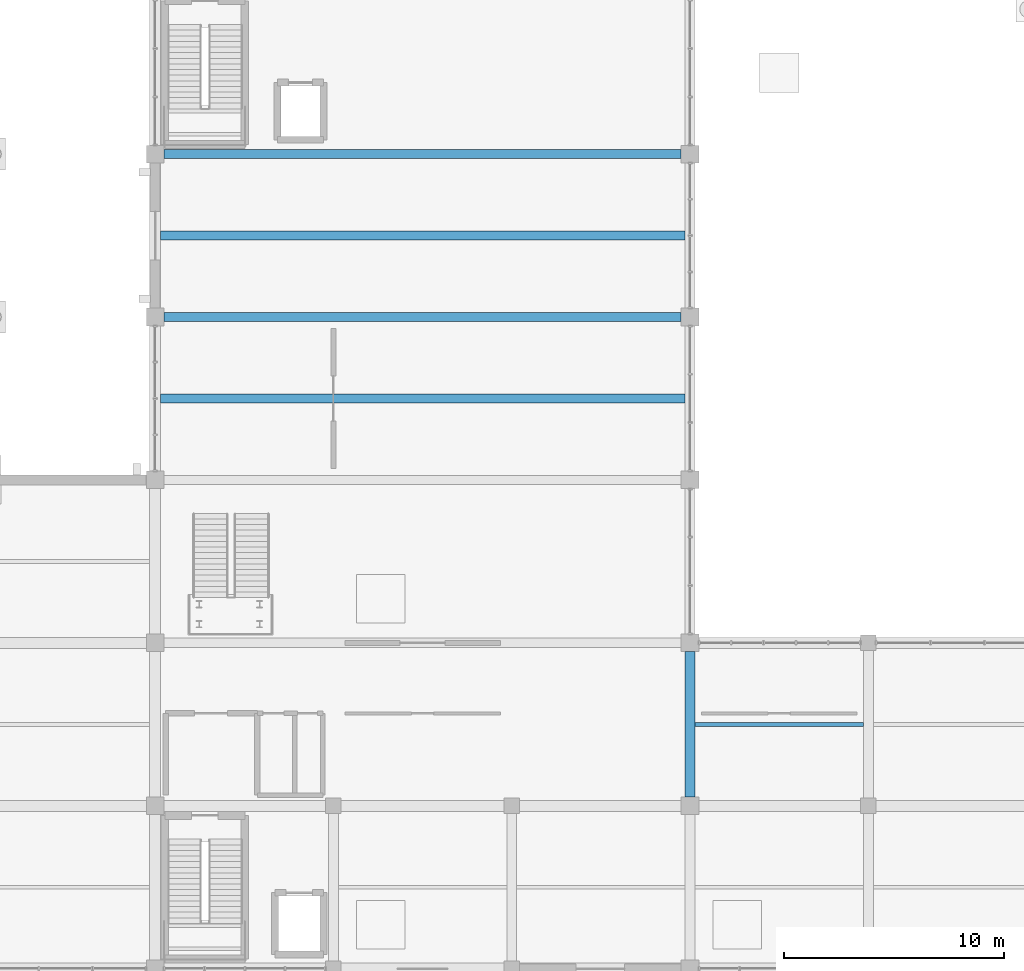
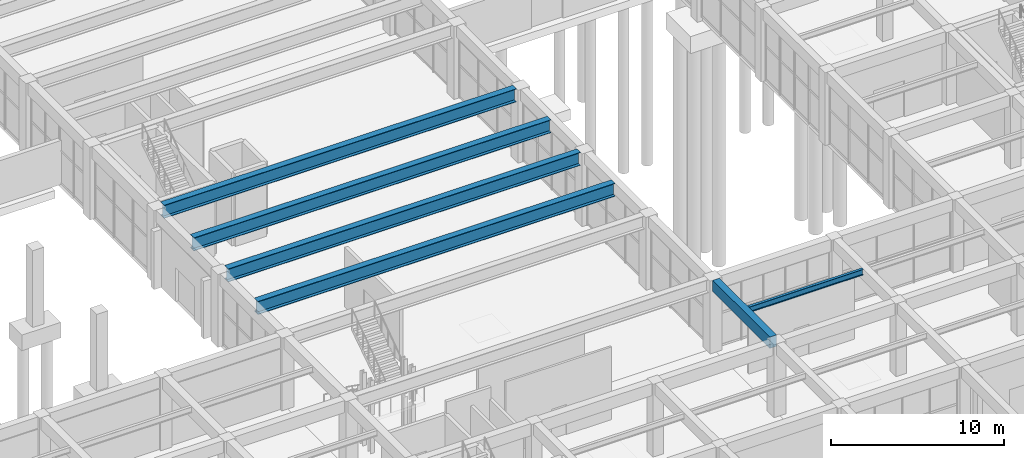
# One storey, part 41 of 140: 6 beams.
"""IFC4 building model written with IfcOpenShell, lengths in metres."""

import ifcopenshell
import ifcopenshell.guid

model = None  # the IFC model being written
_history = None  # IfcOwnerHistory: only IFC2X3 demands one
_inside = {}  # id of a spatial element -> (the spatial element, [elements in it])
_under = {}  # id of a project, library or spatial element -> (it, [spatial elements below it])
_declared = {}  # id of a project -> (the project, [libraries it declares])
_typed = {}  # id of a type object -> (the type object, [elements of that type])
_made_of = {}  # id of a material, layer set ... -> (it, [elements and type objects made of it])


def new_model(schema):
    """Start an empty IFC model of exactly this schema.

    Asked for "IFC4X3", IfcOpenShell would pick the latest addendum, in which some entities
    have other attributes; the version numbers below select the first issue.
    IFC2X3 requires an IfcOwnerHistory on every rooted entity: one is made here for all.
    """
    global model, _history
    if schema == "IFC4X3":
        model = ifcopenshell.file(schema_version=(4, 3, 0, 0))
    else:
        model = ifcopenshell.file(schema=schema)
    _inside.clear()
    _under.clear()
    _declared.clear()
    _typed.clear()
    _made_of.clear()
    _history = None
    if model.schema == "IFC2X3":
        org = make("IfcOrganization", Name="unknown")
        user = make(
            "IfcPersonAndOrganization",
            ThePerson=make("IfcPerson", FamilyName="unknown"),
            TheOrganization=org,
        )
        app = make(
            "IfcApplication",
            ApplicationDeveloper=org,
            Version="unknown",
            ApplicationFullName="unknown",
            ApplicationIdentifier="unknown",
        )
        _history = make(
            "IfcOwnerHistory",
            OwningUser=user,
            OwningApplication=app,
            ChangeAction="ADDED",
            CreationDate=0,
        )
    return model


def make(cls, **values):
    """One entity of the class cls with the attributes given. An attribute that is None is left unset."""
    return model.create_entity(
        cls, **{name: value for name, value in values.items() if value is not None}
    )


def rooted(cls, **values):
    """An entity with a GlobalId (a new one), such as an element, a storey or a relation."""
    return make(cls, GlobalId=ifcopenshell.guid.new(), OwnerHistory=_history, **values)


def si_unit(unit_type, name, prefix=None):
    """IfcSIUnit, for example si_unit("LENGTHUNIT", "METRE", prefix="MILLI")."""
    return make("IfcSIUnit", UnitType=unit_type, Prefix=prefix, Name=name)


def assignment(units):
    """IfcUnitAssignment: the units of a project."""
    return None if units is None else make("IfcUnitAssignment", Units=units)


def point(xyz):
    """IfcCartesianPoint."""
    return None if xyz is None else make("IfcCartesianPoint", Coordinates=xyz)


def direction(xyz):
    """IfcDirection."""
    return None if xyz is None else make("IfcDirection", DirectionRatios=xyz)


def frame(location, z_axis=None, x_axis=None):
    """IfcAxis2Placement3D, a coordinate frame: its origin and axes. An axis left out is left unset."""
    return make(
        "IfcAxis2Placement3D",
        Location=point(location),
        Axis=direction(z_axis),
        RefDirection=direction(x_axis),
    )


def frame_2d(location, x_axis=None):
    """IfcAxis2Placement2D, a coordinate frame in the plane: its origin and x axis."""
    return make(
        "IfcAxis2Placement2D", Location=point(location), RefDirection=direction(x_axis)
    )


def origin():
    """The frame at (0, 0, 0) with its axes left unset."""
    return frame((0.0, 0.0, 0.0))


def origin_2d():
    """The frame at (0, 0) in the plane with its x axis left unset."""
    return frame_2d((0.0, 0.0))


def place(relative_to, where):
    """IfcLocalPlacement: puts the frame where relative to a parent placement (None: the world)."""
    return make(
        "IfcLocalPlacement", PlacementRelTo=relative_to, RelativePlacement=where
    )


def context(
    kind, dimensions, precision=None, world=None, true_north=None, identifier=None
):
    """IfcGeometricRepresentationContext, for example the 3D "Model" context."""
    return make(
        "IfcGeometricRepresentationContext",
        ContextIdentifier=identifier,
        ContextType=kind,
        CoordinateSpaceDimension=dimensions,
        Precision=precision,
        WorldCoordinateSystem=world,
        TrueNorth=true_north,
    )


def subcontext(parent, identifier, kind, view, scale=None):
    """IfcGeometricRepresentationSubContext, for example "Body" below "Model"."""
    return make(
        "IfcGeometricRepresentationSubContext",
        ContextIdentifier=identifier,
        ContextType=kind,
        ParentContext=parent,
        TargetScale=scale,
        TargetView=view,
    )


def project(units=None, contexts=None):
    """IfcProject with its units and contexts."""
    return rooted(
        "IfcProject",
        Name="project",
        RepresentationContexts=contexts,
        UnitsInContext=assignment(units),
    )


def spatial(cls, under=None, at=None, **own):
    """A site, building, storey or space (cls), placed at a placement, below another one or the project."""
    s = rooted(cls, ObjectPlacement=at, **own)
    if under is not None:
        _under.setdefault(under.id(), (under, []))[1].append(s)
    return s


def profile(cls, at=None, kind="AREA", **sizes):
    """A parametric profile (cls). Its sizes go by their IFC names, for example OverallWidth=200.0."""
    return make(cls, ProfileType=kind, Position=at, **sizes)


def rectangle(**sizes):
    """IfcRectangleProfileDef."""
    return profile("IfcRectangleProfileDef", **sizes)


def i_section(**sizes):
    """IfcIShapeProfileDef."""
    return profile("IfcIShapeProfileDef", **sizes)


def extrude(swept, where, along, depth):
    """IfcExtrudedAreaSolid: the profile swept, set in the frame where, extruded along a direction by depth."""
    return make(
        "IfcExtrudedAreaSolid",
        SweptArea=swept,
        Position=where,
        ExtrudedDirection=direction(along),
        Depth=depth,
    )


def shape(context_of_items, identifier, shape_type, items):
    """IfcShapeRepresentation: the items that make up one representation, for example the "Body"."""
    return make(
        "IfcShapeRepresentation",
        ContextOfItems=context_of_items,
        RepresentationIdentifier=identifier,
        RepresentationType=shape_type,
        Items=items,
    )


def material(Name=None, Category=None):
    """IfcMaterial."""
    return make("IfcMaterial", Name=Name, Category=Category)


def material_profile(
    of_material, cross_section, Name=None, Category=None, Priority=None
):
    """IfcMaterialProfile: a cross section and its material."""
    return make(
        "IfcMaterialProfile",
        Name=Name,
        Material=of_material,
        Profile=cross_section,
        Priority=Priority,
        Category=Category,
    )


def profile_set(profiles, Name=None, composite=None):
    """IfcMaterialProfileSet."""
    return make(
        "IfcMaterialProfileSet",
        Name=Name,
        MaterialProfiles=profiles,
        CompositeProfile=composite,
    )


def made_of(thing, what):
    """Note that an element or type object is made of a material, layer set ...; save() writes the relation."""
    if what is not None:
        _made_of.setdefault(what.id(), (what, []))[1].append(thing)
    return thing


def type_object(cls, material=None, **own):
    """A type object (cls), such as IfcWallType, which elements share."""
    return made_of(rooted(cls, **own), material)


def element(
    cls,
    number,
    at=None,
    inside=None,
    cuts=None,
    type_object=None,
    material=None,
    context=None,
    identifier="Body",
    shape_type=None,
    held_by="IfcProductDefinitionShape",
    body=None,
    shapes=None,
    **own,
):
    """One element of the class cls, such as IfcWall. Its Tag is "e" and its number.

    at: its placement. inside: the storey or other place that contains it. cuts: it is an
    opening in that element (IfcRelVoidsElement). A single representation is given by context,
    identifier, shape_type and body (its items); several are given by shapes. held_by: the class
    of the entity that holds the representations. save() writes the other relations.
    """
    e = rooted(cls, Tag="e%d" % number, ObjectPlacement=at, **own)
    if body is not None:
        shapes = [shape(context, identifier, shape_type, body)]
    if shapes is not None:
        e.Representation = make(held_by, Representations=shapes)
    if inside is not None:
        _inside.setdefault(inside.id(), (inside, []))[1].append(e)
    if cuts is not None:
        rooted(
            "IfcRelVoidsElement", RelatingBuildingElement=cuts, RelatedOpeningElement=e
        )
    if type_object is not None:
        _typed.setdefault(type_object.id(), (type_object, []))[1].append(e)
    return made_of(e, material)


def aggregate(whole, parts):
    """IfcRelAggregates: a whole, such as a stair, and the parts it consists of."""
    return rooted("IfcRelAggregates", RelatingObject=whole, RelatedObjects=parts)


def save(model, path):
    """Write the relations noted so far, then the file.

    IfcRelAggregates (storeys below a building ...), IfcRelContainedInSpatialStructure (elements
    in a storey), IfcRelDefinesByType, IfcRelAssociatesMaterial and IfcRelDeclares: one each for
    every whole, place, type object, material and project.
    """
    for whole, parts in _under.values():
        aggregate(whole, parts)
    for where, things in _inside.values():
        rooted(
            "IfcRelContainedInSpatialStructure",
            RelatedElements=things,
            RelatingStructure=where,
        )
    for kind, things in _typed.values():
        rooted("IfcRelDefinesByType", RelatedObjects=things, RelatingType=kind)
    for what, things in _made_of.values():
        rooted("IfcRelAssociatesMaterial", RelatedObjects=things, RelatingMaterial=what)
    for by, libraries in _declared.values():
        rooted("IfcRelDeclares", RelatingContext=by, RelatedDefinitions=libraries)
    model.write(path)


model = new_model("IFC4")

# Units and contexts
model_context = context("Model", 3, precision=1e-05, world=origin(), true_north=direction((0.0, 1.0)))
body_context = subcontext(model_context, "Body", "Model", "MODEL_VIEW")
ifc_project = project(units=[si_unit("LENGTHUNIT", "METRE"), si_unit("AREAUNIT", "SQUARE_METRE"), si_unit("VOLUMEUNIT", "CUBIC_METRE"), si_unit("PLANEANGLEUNIT", "RADIAN"), si_unit("MASSUNIT", "GRAM", prefix="KILO")], contexts=[model_context])

# Site, building, storey
site_placement = place(None, origin())
site = spatial("IfcSite", under=ifc_project, at=site_placement, CompositionType="ELEMENT")
building_placement = place(site_placement, origin())
building = spatial("IfcBuilding", under=site, at=building_placement, Name="Cimatlan Art Gallery", CompositionType="ELEMENT")
storey_placement = place(building_placement, origin())
storey = spatial("IfcBuildingStorey", under=building, at=storey_placement, Name="L00", CompositionType="ELEMENT", Elevation=0.0)

# Beams
ifc_material_1 = material(Name="Concrete C40/50", Category="concrete")
ifc_material_profile_1 = material_profile(ifc_material_1, rectangle(XDim=0.449951171875, YDim=0.800048828125, at=origin_2d()), Name="RC450X800")
ifc_profile_set_1 = profile_set([ifc_material_profile_1], Name="Concrete C40/50")
beam_type_1 = type_object("IfcBeamType", Name="BM-RC-450X800", PredefinedType="BEAM", material=ifc_profile_set_1)
beam_1_placement = place(storey_placement, frame((99.199951171875, 31.699951171875, 4.735107421875), z_axis=(0.0, 1.0, 0.0), x_axis=(-1.0, 0.0, 0.0)))
element("IfcBeam", 1, at=beam_1_placement, inside=storey, type_object=beam_type_1, Name="BM-Y-L00-12-04", PredefinedType="BEAM", context=body_context, shape_type="SweptSolid", body=[
    extrude(rectangle(XDim=0.449951171875, YDim=0.800048828125, at=origin_2d()), origin(), (0.0, 0.0, 1.0), 6.60009765625),
])
ifc_material_2 = material(Name="Steel ASTM A992 Grade 50", Category="steel")
ifc_material_profile_2 = material_profile(ifc_material_2, i_section(OverallWidth=0.41796875, OverallDepth=0.927001953125, WebThickness=0.019287109375, FlangeThickness=0.031982421875, at=origin_2d()), Name="W36X231")
ifc_profile_set_2 = profile_set([ifc_material_profile_2], Name="Steel ASTM A992 Grade 50")
beam_type_2 = type_object("IfcBeamType", Name="BM-SPAN24-L01", PredefinedType="BEAM", material=ifc_profile_set_2)
beam_2_placement = place(storey_placement, frame((75.14990234375, 49.800048828125, 4.67138671875), z_axis=(1.0, 0.0, 0.0), x_axis=(0.0, 1.0, 0.0)))
element("IfcBeam", 2, at=beam_2_placement, inside=storey, type_object=beam_type_2, Name="BM-SP24M-L00-06", PredefinedType="BEAM", context=body_context, shape_type="SweptSolid", body=[
    extrude(i_section(OverallWidth=0.41796875, OverallDepth=0.927001953125, WebThickness=0.019287109375, FlangeThickness=0.031982421875, at=origin_2d()), origin(), (0.0, 0.0, 1.0), 23.8251953125),
])
beam_3_placement = place(storey_placement, frame((75.300048828125, 53.5, 4.67138671875), z_axis=(1.0, 0.0, 0.0), x_axis=(0.0, 1.0, 0.0)))
element("IfcBeam", 3, at=beam_3_placement, inside=storey, type_object=beam_type_2, Name="BM-SP24-L00-07", PredefinedType="BEAM", context=body_context, shape_type="SweptSolid", body=[
    extrude(i_section(OverallWidth=0.41796875, OverallDepth=0.927001953125, WebThickness=0.019287109375, FlangeThickness=0.031982421875, at=origin_2d()), origin(), (0.0, 0.0, 1.0), 23.5),
])
beam_4_placement = place(storey_placement, frame((75.14990234375, 57.199951171875, 4.67138671875), z_axis=(1.0, 0.0, 0.0), x_axis=(0.0, 1.0, 0.0)))
element("IfcBeam", 4, at=beam_4_placement, inside=storey, type_object=beam_type_2, Name="BM-SP24M-L00-07", PredefinedType="BEAM", context=body_context, shape_type="SweptSolid", body=[
    extrude(i_section(OverallWidth=0.41796875, OverallDepth=0.927001953125, WebThickness=0.019287109375, FlangeThickness=0.031982421875, at=origin_2d()), origin(), (0.0, 0.0, 1.0), 23.8251953125),
])
beam_5_placement = place(storey_placement, frame((75.300048828125, 60.89990234375, 4.67138671875), z_axis=(1.0, 0.0, 0.0), x_axis=(0.0, 1.0, 0.0)))
element("IfcBeam", 5, at=beam_5_placement, inside=storey, type_object=beam_type_2, Name="BM-SP24-L00-08", PredefinedType="BEAM", context=body_context, shape_type="SweptSolid", body=[
    extrude(i_section(OverallWidth=0.41796875, OverallDepth=0.927001953125, WebThickness=0.019287109375, FlangeThickness=0.031982421875, at=origin_2d()), origin(), (0.0, 0.0, 1.0), 23.5),
])
ifc_material_profile_3 = material_profile(ifc_material_2, i_section(OverallWidth=0.177978515625, OverallDepth=0.406982421875, WebThickness=0.0078125, FlangeThickness=0.0126953125, at=origin_2d()), Name="W16X40")
ifc_profile_set_3 = profile_set([ifc_material_profile_3], Name="Steel ASTM A992 Grade 50")
beam_type_3 = type_object("IfcBeamType", Name="BM-STL-W16X40", PredefinedType="JOIST", material=ifc_profile_set_3)
beam_6_placement = place(storey_placement, frame((99.425048828125, 35.0, 4.931396484375), z_axis=(1.0, 0.0, 0.0), x_axis=(0.0, 1.0, 0.0)))
element("IfcBeam", 6, at=beam_6_placement, inside=storey, type_object=beam_type_3, Name="JST-L00-12-04", PredefinedType="JOIST", context=body_context, shape_type="SweptSolid", body=[
    extrude(i_section(OverallWidth=0.177978515625, OverallDepth=0.406982421875, WebThickness=0.0078125, FlangeThickness=0.0126953125, at=origin_2d()), origin(), (0.0, 0.0, 1.0), 7.64990234375),
])

save(model, "model.ifc")
